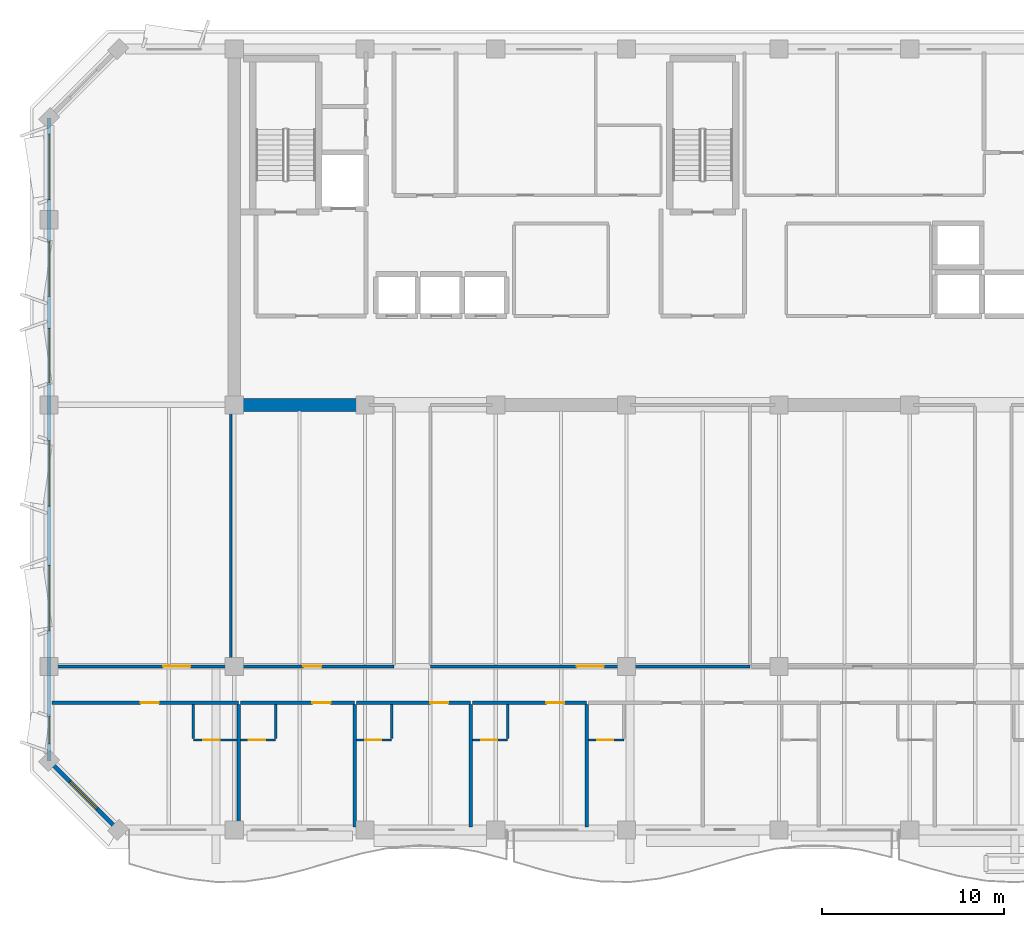
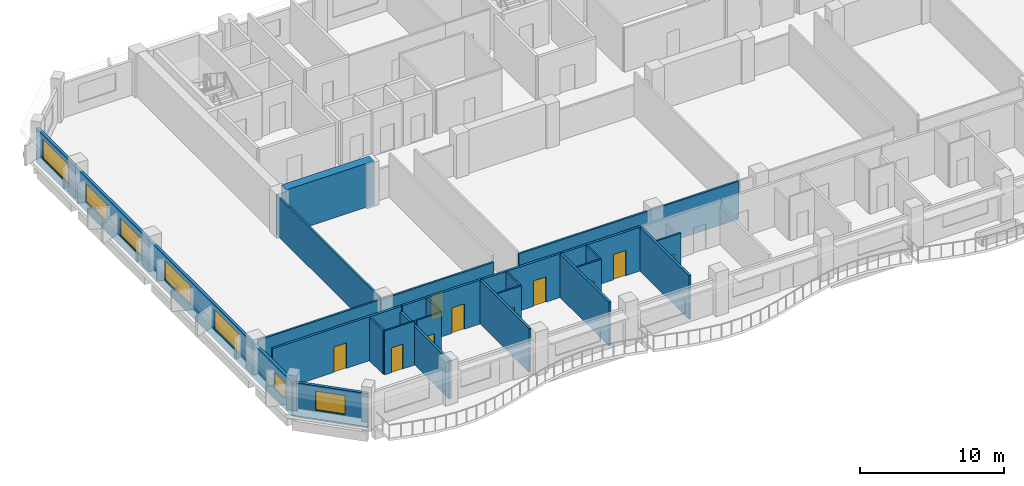
# One storey, part 3 of 11: 24 walls, 12 doors, 7 windows, 19 openings.
"""IFC4 building model written with IfcOpenShell, lengths in metres."""

from ifc_helpers import new_model, si_unit, direction, frame, frame_2d, origin, place, context, subcontext, project, spatial, rectangle, extrude, material, layer, layer_set, type_object, element, fill, save


model = new_model("IFC4")

# Units and contexts
model_context = context("Model", 3, precision=1e-05, world=origin(), true_north=direction((0.0, 1.0)))
body_context = subcontext(model_context, "Body", "Model", "MODEL_VIEW")
ifc_project = project(units=[si_unit("LENGTHUNIT", "METRE"), si_unit("AREAUNIT", "SQUARE_METRE"), si_unit("VOLUMEUNIT", "CUBIC_METRE"), si_unit("PLANEANGLEUNIT", "RADIAN"), si_unit("MASSUNIT", "GRAM", prefix="KILO")], contexts=[model_context])

# Site, building, storey
site_placement = place(None, origin())
site = spatial("IfcSite", under=ifc_project, at=site_placement, CompositionType="ELEMENT")
building_placement = place(site_placement, origin())
building = spatial("IfcBuilding", under=site, at=building_placement, Name="Kaelvorn Grand Hotel", CompositionType="ELEMENT")
storey_placement = place(building_placement, frame((0.0, 0.0, 241.0)))
storey = spatial("IfcBuildingStorey", under=building, at=storey_placement, Name="L59", CompositionType="ELEMENT", Elevation=241.0)

# Wall
ifc_material_1 = material(Name="Concrete C50/60", Category="concrete")
ifc_layer_1 = layer(ifc_material_1, 0.699951171875)
ifc_layer_set_1 = layer_set([ifc_layer_1], Name="Concrete C50/60")
wall_type_1 = type_object("IfcWallType", Name="WL-CORE-700-C50", PredefinedType="SHEAR", material=ifc_layer_set_1)
wall_1_placement = place(storey_placement, frame((16.554931640625, 29.39990234375, 0.0), z_axis=(0.0, 0.0, 1.0), x_axis=(1.0, 0.0, 0.0)))
element("IfcWall", 1, at=wall_1_placement, inside=storey, type_object=wall_type_1, Name="L59 Rear-Core Coupled Shear Pier S1", PredefinedType="SHEAR", context=body_context, shape_type="SweptSolid", body=[
    extrude(rectangle(XDim=7.045166015625, YDim=0.699951171875, at=frame_2d((3.5224609375, 0.0))), origin(), (0.0, 0.0, 1.0), 3.7099609375),
])

# Wall, openings, windows
ifc_material_2 = material(Name="Concrete C40/50", Category="concrete")
ifc_layer_2 = layer(ifc_material_2, 0.219970703125)
ifc_layer_set_2 = layer_set([ifc_layer_2], Name="Concrete C40/50")
wall_type_2 = type_object("IfcWallType", Name="WL-EXT-220-C40", PredefinedType="SOLIDWALL", material=ifc_layer_set_2)
wall_2_placement = place(storey_placement, frame((6.0, 45.199951171875, 0.0), z_axis=(0.0, 0.0, 1.0), x_axis=(0.0, -1.0, 0.0)))
wall_2 = element("IfcWall", 2, at=wall_2_placement, inside=storey, type_object=wall_type_2, Name="L59 Exterior Architectural Concrete Wall 07", PredefinedType="SOLIDWALL", context=body_context, shape_type="SweptSolid", body=[
    extrude(rectangle(XDim=35.39990234375, YDim=0.219970703125, at=frame_2d((17.699951171875, 0.0))), origin(), (0.0, 0.0, 1.0), 2.909912109375),
])
opening_1_placement = place(wall_2_placement, frame((32.965087890625, 0.0, 0.85009765625)))
opening_1 = element("IfcOpeningElement", 3, at=opening_1_placement, cuts=wall_2, Name="Opening W10", PredefinedType="OPENING", context=body_context, shape_type="SweptSolid", body=[
    extrude(rectangle(XDim=1.5, YDim=1.39990234375, at=frame_2d((0.75, 0.699951171875))), frame((0.0, 0.1201171875, 0.0), z_axis=(0.0, -1.0, 0.0), x_axis=(1.0, 0.0, 0.0)), (0.0, 0.0, 1.0), 0.239990234375),
])
opening_2_placement = place(wall_2_placement, frame((24.635009765625, 0.0, 0.85009765625)))
opening_2 = element("IfcOpeningElement", 4, at=opening_2_placement, cuts=wall_2, Name="Opening W3", PredefinedType="OPENING", context=body_context, shape_type="SweptSolid", body=[
    extrude(rectangle(XDim=3.60009765625, YDim=1.64990234375, at=frame_2d((1.800048828125, 0.824951171875))), frame((0.0, 0.1201171875, 0.0), z_axis=(0.0, -1.0, 0.0), x_axis=(1.0, 0.0, 0.0)), (0.0, 0.0, 1.0), 0.239990234375),
])
opening_3_placement = place(wall_2_placement, frame((17.764892578125, 0.0, 0.85009765625)))
opening_3 = element("IfcOpeningElement", 5, at=opening_3_placement, cuts=wall_2, Name="Opening W3", PredefinedType="OPENING", context=body_context, shape_type="SweptSolid", body=[
    extrude(rectangle(XDim=3.60009765625, YDim=1.64990234375, at=frame_2d((1.800048828125, 0.824951171875))), frame((0.0, 0.1201171875, 0.0), z_axis=(0.0, -1.0, 0.0), x_axis=(1.0, 0.0, 0.0)), (0.0, 0.0, 1.0), 0.239990234375),
])
opening_4_placement = place(wall_2_placement, frame((11.5849609375, 0.0, 0.85009765625)))
opening_4 = element("IfcOpeningElement", 6, at=opening_4_placement, cuts=wall_2, Name="Opening W5", PredefinedType="OPENING", context=body_context, shape_type="SweptSolid", body=[
    extrude(rectangle(XDim=3.0, YDim=1.5, at=frame_2d((1.5, 0.75))), frame((0.0, 0.1201171875, 0.0), z_axis=(0.0, -1.0, 0.0), x_axis=(1.0, 0.0, 0.0)), (0.0, 0.0, 1.0), 0.239990234375),
])
opening_5_placement = place(wall_2_placement, frame((6.81494140625, 0.0, 0.85009765625)))
opening_5 = element("IfcOpeningElement", 7, at=opening_5_placement, cuts=wall_2, Name="Opening W5", PredefinedType="OPENING", context=body_context, shape_type="SweptSolid", body=[
    extrude(rectangle(XDim=3.0, YDim=1.5, at=frame_2d((1.5, 0.75))), frame((0.0, 0.1201171875, 0.0), z_axis=(0.0, -1.0, 0.0), x_axis=(1.0, 0.0, 0.0)), (0.0, 0.0, 1.0), 0.239990234375),
])
opening_6_placement = place(wall_2_placement, frame((0.885009765625, 0.0, 0.85009765625)))
opening_6 = element("IfcOpeningElement", 8, at=opening_6_placement, cuts=wall_2, Name="Opening W3", PredefinedType="OPENING", context=body_context, shape_type="SweptSolid", body=[
    extrude(rectangle(XDim=3.60009765625, YDim=1.64990234375, at=frame_2d((1.800048828125, 0.824951171875))), frame((0.0, 0.1201171875, 0.0), z_axis=(0.0, -1.0, 0.0), x_axis=(1.0, 0.0, 0.0)), (0.0, 0.0, 1.0), 0.239990234375),
])
ifc_material_3 = material(Name="Laminated Low-E Glass", Category="glass")
window_type_1 = type_object("IfcWindowType", Name="WIN-COR-1500x1400", PartitioningType="SINGLE_PANEL", PredefinedType="WINDOW", material=ifc_material_3)
window_1_placement = place(opening_1_placement, origin())
window_1 = element("IfcWindow", 9, at=window_1_placement, inside=storey, type_object=window_type_1, Name="L59 W Wing Tilted-Frame Ribbon Window W01", OverallHeight=1.39990234375, OverallWidth=1.5, PartitioningType="SINGLE_PANEL", PredefinedType="WINDOW", context=body_context, shape_type="SweptSolid", body=[
    extrude(rectangle(XDim=1.5, YDim=1.39990234375, at=frame_2d((0.75, 0.699951171875))), frame((0.0, 0.030029296875, 0.0), z_axis=(0.0, -1.0, 0.0), x_axis=(1.0, 0.0, 0.0)), (0.0, 0.0, 1.0), 0.06005859375),
])
fill(opening_1, window_1)
window_type_2 = type_object("IfcWindowType", Name="WIN-NTH-3000x1500", PartitioningType="SINGLE_PANEL", PredefinedType="WINDOW", material=ifc_material_3)
window_2_placement = place(opening_4_placement, origin())
window_2 = element("IfcWindow", 10, at=window_2_placement, inside=storey, type_object=window_type_2, Name="L59 W Wing Tilted-Frame Ribbon Window W04", OverallHeight=1.5, OverallWidth=3.0, PartitioningType="SINGLE_PANEL", PredefinedType="WINDOW", context=body_context, shape_type="SweptSolid", body=[
    extrude(rectangle(XDim=3.0, YDim=1.5, at=frame_2d((1.5, 0.75))), frame((0.0, 0.030029296875, 0.0), z_axis=(0.0, -1.0, 0.0), x_axis=(1.0, 0.0, 0.0)), (0.0, 0.0, 1.0), 0.06005859375),
])
fill(opening_4, window_2)
window_3_placement = place(opening_5_placement, origin())
window_3 = element("IfcWindow", 11, at=window_3_placement, inside=storey, type_object=window_type_2, Name="L59 W Wing Tilted-Frame Ribbon Window W05", OverallHeight=1.5, OverallWidth=3.0, PartitioningType="SINGLE_PANEL", PredefinedType="WINDOW", context=body_context, shape_type="SweptSolid", body=[
    extrude(rectangle(XDim=3.0, YDim=1.5, at=frame_2d((1.5, 0.75))), frame((0.0, 0.030029296875, 0.0), z_axis=(0.0, -1.0, 0.0), x_axis=(1.0, 0.0, 0.0)), (0.0, 0.0, 1.0), 0.06005859375),
])
fill(opening_5, window_3)
window_type_3 = type_object("IfcWindowType", Name="WIN-RIB-3600x1750", PartitioningType="SINGLE_PANEL", PredefinedType="WINDOW", material=ifc_material_3)
window_4_placement = place(opening_2_placement, origin())
window_4 = element("IfcWindow", 12, at=window_4_placement, inside=storey, type_object=window_type_3, Name="L59 W Wing Tilted-Frame Ribbon Window W02", OverallHeight=1.64990234375, OverallWidth=3.60009765625, PartitioningType="SINGLE_PANEL", PredefinedType="WINDOW", context=body_context, shape_type="SweptSolid", body=[
    extrude(rectangle(XDim=3.60009765625, YDim=1.64990234375, at=frame_2d((1.800048828125, 0.824951171875))), frame((0.0, 0.030029296875, 0.0), z_axis=(0.0, -1.0, 0.0), x_axis=(1.0, 0.0, 0.0)), (0.0, 0.0, 1.0), 0.06005859375),
])
fill(opening_2, window_4)
window_5_placement = place(opening_3_placement, origin())
window_5 = element("IfcWindow", 13, at=window_5_placement, inside=storey, type_object=window_type_3, Name="L59 W Wing Tilted-Frame Ribbon Window W03", OverallHeight=1.64990234375, OverallWidth=3.60009765625, PartitioningType="SINGLE_PANEL", PredefinedType="WINDOW", context=body_context, shape_type="SweptSolid", body=[
    extrude(rectangle(XDim=3.60009765625, YDim=1.64990234375, at=frame_2d((1.800048828125, 0.824951171875))), frame((0.0, 0.030029296875, 0.0), z_axis=(0.0, -1.0, 0.0), x_axis=(1.0, 0.0, 0.0)), (0.0, 0.0, 1.0), 0.06005859375),
])
fill(opening_3, window_5)
window_6_placement = place(opening_6_placement, origin())
window_6 = element("IfcWindow", 14, at=window_6_placement, inside=storey, type_object=window_type_3, Name="L59 W Wing Tilted-Frame Ribbon Window W06", OverallHeight=1.64990234375, OverallWidth=3.60009765625, PartitioningType="SINGLE_PANEL", PredefinedType="WINDOW", context=body_context, shape_type="SweptSolid", body=[
    extrude(rectangle(XDim=3.60009765625, YDim=1.64990234375, at=frame_2d((1.800048828125, 0.824951171875))), frame((0.0, 0.030029296875, 0.0), z_axis=(0.0, -1.0, 0.0), x_axis=(1.0, 0.0, 0.0)), (0.0, 0.0, 1.0), 0.06005859375),
])
fill(opening_6, window_6)

# Wall, opening, window
wall_3_placement = place(storey_placement, frame((6.0, 9.800048828125, 0.0), z_axis=(0.0, 0.0, 1.0), x_axis=(0.707106781187, -0.707106781187, 0.0)))
wall_3 = element("IfcWall", 15, at=wall_3_placement, inside=storey, type_object=wall_type_2, Name="L59 Exterior Architectural Concrete Wall 08", PredefinedType="SOLIDWALL", context=body_context, shape_type="SweptSolid", body=[
    extrude(rectangle(XDim=5.3740234375, YDim=0.219970703125, at=frame_2d((2.68701171875, 0.0))), origin(), (0.0, 0.0, 1.0), 2.909912109375),
])
opening_7_placement = place(wall_3_placement, frame((1.636962890625, 0.0, 0.85009765625)))
opening_7 = element("IfcOpeningElement", 16, at=opening_7_placement, cuts=wall_3, Name="Opening W7", PredefinedType="OPENING", context=body_context, shape_type="SweptSolid", body=[
    extrude(rectangle(XDim=2.10009765625, YDim=1.60009765625, at=frame_2d((1.050048828125, 0.800048828125))), frame((0.0, 0.1201171875, 0.0), z_axis=(0.0, -1.0, 0.0), x_axis=(1.0, 0.0, 0.0)), (0.0, 0.0, 1.0), 0.239990234375),
])
window_type_4 = type_object("IfcWindowType", Name="WIN-CHM-2100x1600", PartitioningType="SINGLE_PANEL", PredefinedType="WINDOW", material=ifc_material_3)
window_7_placement = place(opening_7_placement, origin())
window_7 = element("IfcWindow", 17, at=window_7_placement, inside=storey, type_object=window_type_4, Name="L59 Chamfered 45-Degree Corner Window SW", OverallHeight=1.60009765625, OverallWidth=2.10009765625, PartitioningType="SINGLE_PANEL", PredefinedType="WINDOW", context=body_context, shape_type="SweptSolid", body=[
    extrude(rectangle(XDim=2.10009765625, YDim=1.60009765625, at=frame_2d((1.050048828125, 0.800048828125))), frame((0.0, 0.030029296875, 0.0), z_axis=(0.0, -1.0, 0.0), x_axis=(1.0, 0.0, 0.0)), (0.0, 0.0, 1.0), 0.06005859375),
])
fill(opening_7, window_7)

# Wall, opening, door
ifc_material_4 = material(Name="Moisture-Resistant Tile & Stud Board")
ifc_layer_3 = layer(ifc_material_4, 0.125)
ifc_layer_set_3 = layer_set([ifc_layer_3], Name="Moisture-Resistant Tile & Stud Board")
wall_type_3 = type_object("IfcWallType", Name="WL-PART-125-WET", PredefinedType="PARTITIONING", material=ifc_layer_set_3)
wall_4_placement = place(storey_placement, frame((13.93994140625, 10.949951171875, 0.0), z_axis=(0.0, 0.0, 1.0), x_axis=(1.0, 0.0, 0.0)))
wall_4 = element("IfcWall", 18, at=wall_4_placement, inside=storey, type_object=wall_type_3, Name="L59 En-suite Bathroom L59-01 S Partition", PredefinedType="PARTITIONING", context=body_context, shape_type="SweptSolid", body=[
    extrude(rectangle(XDim=2.405029296875, YDim=0.125, at=frame_2d((1.20263671875, 0.0))), origin(), (0.0, 0.0, 1.0), 3.7099609375),
])
opening_8_placement = place(wall_4_placement, frame((0.550048828125, 0.0, 0.0)))
opening_8 = element("IfcOpeningElement", 19, at=opening_8_placement, cuts=wall_4, Name="Opening DI4", PredefinedType="OPENING", context=body_context, shape_type="SweptSolid", body=[
    extrude(rectangle(XDim=0.89990234375, YDim=2.10009765625, at=frame_2d((0.449951171875, 1.050048828125))), frame((0.0, 0.072509765625, 0.0), z_axis=(0.0, -1.0, 0.0), x_axis=(1.0, 0.0, 0.0)), (0.0, 0.0, 1.0), 0.14501953125),
])
ifc_material_5 = material(Name="Timber Veneer Leaf", Category="wood")
door_type_1 = type_object("IfcDoorType", Name="DR-INT-BATH-900x2100", OperationType="NOTDEFINED", PredefinedType="DOOR", material=ifc_material_5)
door_1_placement = place(opening_8_placement, origin())
door_1 = element("IfcDoor", 20, at=door_1_placement, inside=storey, type_object=door_type_1, Name="L59 En-suite Bathroom L59-01 Door", OperationType="SINGLE_SWING_RIGHT", OverallHeight=2.10009765625, OverallWidth=0.89990234375, PredefinedType="DOOR", context=body_context, shape_type="SweptSolid", body=[
    extrude(rectangle(XDim=0.89990234375, YDim=2.10009765625, at=frame_2d((0.449951171875, 1.050048828125))), frame((0.0, 0.02490234375, 0.0), z_axis=(0.0, -1.0, 0.0), x_axis=(1.0, 0.0, 0.0)), (0.0, 0.0, 1.0), 0.050048828125),
])
fill(opening_8, door_1)

# Wall
wall_5_placement = place(storey_placement, frame((13.93994140625, 11.017578125, 0.0), z_axis=(0.0, 0.0, 1.0), x_axis=(0.0, 1.0, 0.0)))
element("IfcWall", 21, at=wall_5_placement, inside=storey, type_object=wall_type_3, Name="L59 En-suite Bathroom L59-01 W Partition", PredefinedType="PARTITIONING", context=body_context, shape_type="SweptSolid", body=[
    extrude(rectangle(XDim=1.887451171875, YDim=0.125, at=frame_2d((0.94384765625, 0.0))), origin(), (0.0, 0.0, 1.0), 3.7099609375),
])

# Wall, opening, door
wall_6_placement = place(storey_placement, frame((16.534912109375, 10.949951171875, 0.0), z_axis=(0.0, 0.0, 1.0), x_axis=(1.0, 0.0, 0.0)))
wall_6 = element("IfcWall", 22, at=wall_6_placement, inside=storey, type_object=wall_type_3, Name="L59 En-suite Bathroom L59-02 S Partition", PredefinedType="PARTITIONING", context=body_context, shape_type="SweptSolid", body=[
    extrude(rectangle(XDim=1.945068359375, YDim=0.125, at=frame_2d((0.97265625, 0.0))), origin(), (0.0, 0.0, 1.0), 3.7099609375),
])
opening_9_placement = place(wall_6_placement, frame((0.47509765625, 0.0, 0.0)))
opening_9 = element("IfcOpeningElement", 23, at=opening_9_placement, cuts=wall_6, Name="Opening DI4", PredefinedType="OPENING", context=body_context, shape_type="SweptSolid", body=[
    extrude(rectangle(XDim=0.89990234375, YDim=2.10009765625, at=frame_2d((0.449951171875, 1.050048828125))), frame((0.0, 0.072509765625, 0.0), z_axis=(0.0, -1.0, 0.0), x_axis=(1.0, 0.0, 0.0)), (0.0, 0.0, 1.0), 0.14501953125),
])
door_2_placement = place(opening_9_placement, origin())
door_2 = element("IfcDoor", 24, at=door_2_placement, inside=storey, type_object=door_type_1, Name="L59 En-suite Bathroom L59-02 Door", OperationType="SINGLE_SWING_RIGHT", OverallHeight=2.10009765625, OverallWidth=0.89990234375, PredefinedType="DOOR", context=body_context, shape_type="SweptSolid", body=[
    extrude(rectangle(XDim=0.89990234375, YDim=2.10009765625, at=frame_2d((0.449951171875, 1.050048828125))), frame((0.0, 0.02490234375, 0.0), z_axis=(0.0, -1.0, 0.0), x_axis=(1.0, 0.0, 0.0)), (0.0, 0.0, 1.0), 0.050048828125),
])
fill(opening_9, door_2)

# Wall
wall_7_placement = place(storey_placement, frame((18.47998046875, 11.017578125, 0.0), z_axis=(0.0, 0.0, 1.0), x_axis=(0.0, 1.0, 0.0)))
element("IfcWall", 25, at=wall_7_placement, inside=storey, type_object=wall_type_3, Name="L59 En-suite Bathroom L59-02 E Partition", PredefinedType="PARTITIONING", context=body_context, shape_type="SweptSolid", body=[
    extrude(rectangle(XDim=1.887451171875, YDim=0.125, at=frame_2d((0.94384765625, 0.0))), origin(), (0.0, 0.0, 1.0), 3.7099609375),
])

# Wall, opening, door
wall_8_placement = place(storey_placement, frame((22.925048828125, 10.949951171875, 0.0), z_axis=(0.0, 0.0, 1.0), x_axis=(1.0, 0.0, 0.0)))
wall_8 = element("IfcWall", 26, at=wall_8_placement, inside=storey, type_object=wall_type_3, Name="L59 En-suite Bathroom L59-03 S Partition", PredefinedType="PARTITIONING", context=body_context, shape_type="SweptSolid", body=[
    extrude(rectangle(XDim=1.945068359375, YDim=0.125, at=frame_2d((0.97265625, 0.0))), origin(), (0.0, 0.0, 1.0), 3.7099609375),
])
opening_10_placement = place(wall_8_placement, frame((0.47509765625, 0.0, 0.0)))
opening_10 = element("IfcOpeningElement", 27, at=opening_10_placement, cuts=wall_8, Name="Opening DI4", PredefinedType="OPENING", context=body_context, shape_type="SweptSolid", body=[
    extrude(rectangle(XDim=0.89990234375, YDim=2.10009765625, at=frame_2d((0.449951171875, 1.050048828125))), frame((0.0, 0.072509765625, 0.0), z_axis=(0.0, -1.0, 0.0), x_axis=(1.0, 0.0, 0.0)), (0.0, 0.0, 1.0), 0.14501953125),
])
door_3_placement = place(opening_10_placement, origin())
door_3 = element("IfcDoor", 28, at=door_3_placement, inside=storey, type_object=door_type_1, Name="L59 En-suite Bathroom L59-03 Door", OperationType="SINGLE_SWING_RIGHT", OverallHeight=2.10009765625, OverallWidth=0.89990234375, PredefinedType="DOOR", context=body_context, shape_type="SweptSolid", body=[
    extrude(rectangle(XDim=0.89990234375, YDim=2.10009765625, at=frame_2d((0.449951171875, 1.050048828125))), frame((0.0, 0.02490234375, 0.0), z_axis=(0.0, -1.0, 0.0), x_axis=(1.0, 0.0, 0.0)), (0.0, 0.0, 1.0), 0.050048828125),
])
fill(opening_10, door_3)

# Wall
wall_9_placement = place(storey_placement, frame((24.8701171875, 11.017578125, 0.0), z_axis=(0.0, 0.0, 1.0), x_axis=(0.0, 1.0, 0.0)))
element("IfcWall", 29, at=wall_9_placement, inside=storey, type_object=wall_type_3, Name="L59 En-suite Bathroom L59-03 E Partition", PredefinedType="PARTITIONING", context=body_context, shape_type="SweptSolid", body=[
    extrude(rectangle(XDim=1.887451171875, YDim=0.125, at=frame_2d((0.94384765625, 0.0))), origin(), (0.0, 0.0, 1.0), 3.7099609375),
])

# Wall, opening, door
wall_10_placement = place(storey_placement, frame((29.31494140625, 10.949951171875, 0.0), z_axis=(0.0, 0.0, 1.0), x_axis=(1.0, 0.0, 0.0)))
wall_10 = element("IfcWall", 30, at=wall_10_placement, inside=storey, type_object=wall_type_3, Name="L59 En-suite Bathroom L59-04 S Partition", PredefinedType="PARTITIONING", context=body_context, shape_type="SweptSolid", body=[
    extrude(rectangle(XDim=1.945068359375, YDim=0.125, at=frame_2d((0.97265625, 0.0))), origin(), (0.0, 0.0, 1.0), 3.7099609375),
])
opening_11_placement = place(wall_10_placement, frame((0.47509765625, 0.0, 0.0)))
opening_11 = element("IfcOpeningElement", 31, at=opening_11_placement, cuts=wall_10, Name="Opening DI4", PredefinedType="OPENING", context=body_context, shape_type="SweptSolid", body=[
    extrude(rectangle(XDim=0.89990234375, YDim=2.10009765625, at=frame_2d((0.449951171875, 1.050048828125))), frame((0.0, 0.072509765625, 0.0), z_axis=(0.0, -1.0, 0.0), x_axis=(1.0, 0.0, 0.0)), (0.0, 0.0, 1.0), 0.14501953125),
])
door_4_placement = place(opening_11_placement, origin())
door_4 = element("IfcDoor", 32, at=door_4_placement, inside=storey, type_object=door_type_1, Name="L59 En-suite Bathroom L59-04 Door", OperationType="SINGLE_SWING_RIGHT", OverallHeight=2.10009765625, OverallWidth=0.89990234375, PredefinedType="DOOR", context=body_context, shape_type="SweptSolid", body=[
    extrude(rectangle(XDim=0.89990234375, YDim=2.10009765625, at=frame_2d((0.449951171875, 1.050048828125))), frame((0.0, 0.02490234375, 0.0), z_axis=(0.0, -1.0, 0.0), x_axis=(1.0, 0.0, 0.0)), (0.0, 0.0, 1.0), 0.050048828125),
])
fill(opening_11, door_4)

# Wall
wall_11_placement = place(storey_placement, frame((31.260009765625, 11.017578125, 0.0), z_axis=(0.0, 0.0, 1.0), x_axis=(0.0, 1.0, 0.0)))
element("IfcWall", 33, at=wall_11_placement, inside=storey, type_object=wall_type_3, Name="L59 En-suite Bathroom L59-04 E Partition", PredefinedType="PARTITIONING", context=body_context, shape_type="SweptSolid", body=[
    extrude(rectangle(XDim=1.887451171875, YDim=0.125, at=frame_2d((0.94384765625, 0.0))), origin(), (0.0, 0.0, 1.0), 3.7099609375),
])

# Wall, opening, door
wall_12_placement = place(storey_placement, frame((35.705078125, 10.949951171875, 0.0), z_axis=(0.0, 0.0, 1.0), x_axis=(1.0, 0.0, 0.0)))
wall_12 = element("IfcWall", 34, at=wall_12_placement, inside=storey, type_object=wall_type_3, Name="L59 En-suite Bathroom L59-05 S Partition", PredefinedType="PARTITIONING", context=body_context, shape_type="SweptSolid", body=[
    extrude(rectangle(XDim=1.94482421875, YDim=0.125, at=frame_2d((0.972412109375, 0.0))), origin(), (0.0, 0.0, 1.0), 3.7099609375),
])
opening_12_placement = place(wall_12_placement, frame((0.47509765625, 0.0, 0.0)))
opening_12 = element("IfcOpeningElement", 35, at=opening_12_placement, cuts=wall_12, Name="Opening DI4", PredefinedType="OPENING", context=body_context, shape_type="SweptSolid", body=[
    extrude(rectangle(XDim=0.89990234375, YDim=2.10009765625, at=frame_2d((0.449951171875, 1.050048828125))), frame((0.0, 0.072509765625, 0.0), z_axis=(0.0, -1.0, 0.0), x_axis=(1.0, 0.0, 0.0)), (0.0, 0.0, 1.0), 0.14501953125),
])
door_5_placement = place(opening_12_placement, origin())
door_5 = element("IfcDoor", 36, at=door_5_placement, inside=storey, type_object=door_type_1, Name="L59 En-suite Bathroom L59-05 Door", OperationType="SINGLE_SWING_RIGHT", OverallHeight=2.10009765625, OverallWidth=0.89990234375, PredefinedType="DOOR", context=body_context, shape_type="SweptSolid", body=[
    extrude(rectangle(XDim=0.89990234375, YDim=2.10009765625, at=frame_2d((0.449951171875, 1.050048828125))), frame((0.0, 0.02490234375, 0.0), z_axis=(0.0, -1.0, 0.0), x_axis=(1.0, 0.0, 0.0)), (0.0, 0.0, 1.0), 0.050048828125),
])
fill(opening_12, door_5)

ifc_material_6 = material(Name="Acoustic Gypsum & Stud Partition")
ifc_layer_4 = layer(ifc_material_6, 0.14990234375)
ifc_layer_set_4 = layer_set([ifc_layer_4], Name="Acoustic Gypsum & Stud Partition")
wall_type_4 = type_object("IfcWallType", Name="WL-PART-150-EI60", PredefinedType="PARTITIONING", material=ifc_layer_set_4)
wall_13_placement = place(storey_placement, frame((16.0, 15.0, 0.0), z_axis=(0.0, 0.0, 1.0), x_axis=(1.0, 0.0, 0.0)))
wall_13 = element("IfcWall", 37, at=wall_13_placement, inside=storey, type_object=wall_type_4, Name="L59 Executive Meeting Boardroom S Partition", PredefinedType="PARTITIONING", context=body_context, shape_type="SweptSolid", body=[
    extrude(rectangle(XDim=9.0, YDim=0.14990234375, at=frame_2d((4.5, 0.0))), origin(), (0.0, 0.0, 1.0), 3.2099609375),
])
opening_13_placement = place(wall_13_placement, frame((4.0, 0.0, 0.0)))
opening_13 = element("IfcOpeningElement", 38, at=opening_13_placement, cuts=wall_13, Name="Opening DI3", PredefinedType="OPENING", context=body_context, shape_type="SweptSolid", body=[
    extrude(rectangle(XDim=1.0, YDim=2.14990234375, at=frame_2d((0.5, 1.074951171875))), frame((0.0, 0.0849609375, 0.0), z_axis=(0.0, -1.0, 0.0), x_axis=(1.0, 0.0, 0.0)), (0.0, 0.0, 1.0), 0.169921875),
])
ifc_material_7 = material(Name="Timber Veneer Fire Leaf", Category="wood")
door_type_2 = type_object("IfcDoorType", Name="DR-INT-GUEST-1000x2150", OperationType="NOTDEFINED", PredefinedType="DOOR", material=ifc_material_7)
door_6_placement = place(opening_13_placement, origin())
door_6 = element("IfcDoor", 39, at=door_6_placement, inside=storey, type_object=door_type_2, Name="L59 Executive Meeting Boardroom Door", OperationType="SINGLE_SWING_LEFT", OverallHeight=2.14990234375, OverallWidth=1.0, PredefinedType="DOOR", context=body_context, shape_type="SweptSolid", body=[
    extrude(rectangle(XDim=1.0, YDim=2.14990234375, at=frame_2d((0.5, 1.074951171875))), frame((0.0, 0.02490234375, 0.0), z_axis=(0.0, -1.0, 0.0), x_axis=(1.0, 0.0, 0.0)), (0.0, 0.0, 1.0), 0.050048828125),
])
fill(opening_13, door_6)

# Wall
wall_14_placement = place(storey_placement, frame((16.0, 15.080078125, 0.0), z_axis=(0.0, 0.0, 1.0), x_axis=(0.0, 1.0, 0.0)))
element("IfcWall", 40, at=wall_14_placement, inside=storey, type_object=wall_type_4, Name="L59 Executive Meeting Boardroom W Partition", PredefinedType="PARTITIONING", context=body_context, shape_type="SweptSolid", body=[
    extrude(rectangle(XDim=14.309814453125, YDim=0.14990234375, at=frame_2d((7.15478515625, 0.0))), origin(), (0.0, 0.0, 1.0), 3.35009765625),
])

# Wall, opening, door
wall_15_placement = place(storey_placement, frame((27.0, 15.0, 0.0), z_axis=(0.0, 0.0, 1.0), x_axis=(1.0, 0.0, 0.0)))
wall_15 = element("IfcWall", 41, at=wall_15_placement, inside=storey, type_object=wall_type_4, Name="L59 Guest Butler Kitchen S Partition", PredefinedType="PARTITIONING", context=body_context, shape_type="SweptSolid", body=[
    extrude(rectangle(XDim=17.60009765625, YDim=0.14990234375, at=frame_2d((8.800048828125, 0.0))), origin(), (0.0, 0.0, 1.0), 3.2099609375),
])
opening_14_placement = place(wall_15_placement, frame((8.050048828125, 0.0, 0.0)))
opening_14 = element("IfcOpeningElement", 42, at=opening_14_placement, cuts=wall_15, Name="Opening DI5", PredefinedType="OPENING", context=body_context, shape_type="SweptSolid", body=[
    extrude(rectangle(XDim=1.5, YDim=2.25, at=frame_2d((0.75, 1.125))), frame((0.0, 0.0849609375, 0.0), z_axis=(0.0, -1.0, 0.0), x_axis=(1.0, 0.0, 0.0)), (0.0, 0.0, 1.0), 0.169921875),
])
door_type_3 = type_object("IfcDoorType", Name="DR-INT-SALON-1500x2250", OperationType="DOUBLE_DOOR_SINGLE_SWING", PredefinedType="DOOR", material=ifc_material_7)
door_7_placement = place(opening_14_placement, origin())
door_7 = element("IfcDoor", 43, at=door_7_placement, inside=storey, type_object=door_type_3, Name="L59 Guest Butler Kitchen Door", OperationType="DOUBLE_DOOR_SINGLE_SWING", OverallHeight=2.25, OverallWidth=1.5, PredefinedType="DOOR", context=body_context, shape_type="SweptSolid", body=[
    extrude(rectangle(XDim=1.5, YDim=2.25, at=frame_2d((0.75, 1.125))), frame((0.0, 0.02490234375, 0.0), z_axis=(0.0, -1.0, 0.0), x_axis=(1.0, 0.0, 0.0)), (0.0, 0.0, 1.0), 0.050048828125),
])
fill(opening_14, door_7)

wall_16_placement = place(storey_placement, frame((6.14990234375, 15.0, 0.0), z_axis=(0.0, 0.0, 1.0), x_axis=(1.0, 0.0, 0.0)))
wall_16 = element("IfcWall", 44, at=wall_16_placement, inside=storey, type_object=wall_type_4, Name="L59 West Sky Business Secretariat Office S Partition", PredefinedType="PARTITIONING", context=body_context, shape_type="SweptSolid", body=[
    extrude(rectangle(XDim=9.77001953125, YDim=0.14990234375, at=frame_2d((4.885009765625, 0.0))), origin(), (0.0, 0.0, 1.0), 3.2099609375),
])
opening_15_placement = place(wall_16_placement, frame((6.1298828125, 0.0, 0.0)))
opening_15 = element("IfcOpeningElement", 45, at=opening_15_placement, cuts=wall_16, Name="Opening DI5", PredefinedType="OPENING", context=body_context, shape_type="SweptSolid", body=[
    extrude(rectangle(XDim=1.5, YDim=2.25, at=frame_2d((0.75, 1.125))), frame((0.0, 0.0849609375, 0.0), z_axis=(0.0, -1.0, 0.0), x_axis=(1.0, 0.0, 0.0)), (0.0, 0.0, 1.0), 0.169921875),
])
door_8_placement = place(opening_15_placement, origin())
door_8 = element("IfcDoor", 46, at=door_8_placement, inside=storey, type_object=door_type_3, Name="L59 West Sky Business Secretariat Office Door", OperationType="DOUBLE_DOOR_SINGLE_SWING", OverallHeight=2.25, OverallWidth=1.5, PredefinedType="DOOR", context=body_context, shape_type="SweptSolid", body=[
    extrude(rectangle(XDim=1.5, YDim=2.25, at=frame_2d((0.75, 1.125))), frame((0.0, 0.02490234375, 0.0), z_axis=(0.0, -1.0, 0.0), x_axis=(1.0, 0.0, 0.0)), (0.0, 0.0, 1.0), 0.050048828125),
])
fill(opening_15, door_8)

ifc_layer_5 = layer(ifc_material_6, 0.179931640625)
ifc_layer_set_5 = layer_set([ifc_layer_5], Name="Acoustic Gypsum & Stud Partition")
wall_type_5 = type_object("IfcWallType", Name="WL-PART-180-EI60", PredefinedType="PARTITIONING", material=ifc_layer_set_5)
wall_17_placement = place(storey_placement, frame((6.14990234375, 13.0, 0.0), z_axis=(0.0, 0.0, 1.0), x_axis=(1.0, 0.0, 0.0)))
wall_17 = element("IfcWall", 47, at=wall_17_placement, inside=storey, type_object=wall_type_5, Name="L59 Ambassador Guest Room L59-01 N Partition", PredefinedType="PARTITIONING", context=body_context, shape_type="SweptSolid", body=[
    extrude(rectangle(XDim=10.2900390625, YDim=0.179931640625, at=frame_2d((5.14501953125, 0.0))), origin(), (0.0, 0.0, 1.0), 3.7099609375),
])
opening_16_placement = place(wall_17_placement, frame((4.89501953125, 0.0, 0.0)))
opening_16 = element("IfcOpeningElement", 48, at=opening_16_placement, cuts=wall_17, Name="Opening DI3", PredefinedType="OPENING", context=body_context, shape_type="SweptSolid", body=[
    extrude(rectangle(XDim=1.0, YDim=2.14990234375, at=frame_2d((0.5, 1.074951171875))), frame((0.0, 0.10009765625, 0.0), z_axis=(0.0, -1.0, 0.0), x_axis=(1.0, 0.0, 0.0)), (0.0, 0.0, 1.0), 0.199951171875),
])
door_9_placement = place(opening_16_placement, origin())
door_9 = element("IfcDoor", 49, at=door_9_placement, inside=storey, type_object=door_type_2, Name="L59 Ambassador Guest Room L59-01 Door", OperationType="SINGLE_SWING_LEFT", OverallHeight=2.14990234375, OverallWidth=1.0, PredefinedType="DOOR", context=body_context, shape_type="SweptSolid", body=[
    extrude(rectangle(XDim=1.0, YDim=2.14990234375, at=frame_2d((0.5, 1.074951171875))), frame((0.0, 0.02490234375, 0.0), z_axis=(0.0, -1.0, 0.0), x_axis=(1.0, 0.0, 0.0)), (0.0, 0.0, 1.0), 0.050048828125),
])
fill(opening_16, door_9)

# Wall
wall_18_placement = place(storey_placement, frame((16.43994140625, 6.14990234375, 0.0), z_axis=(0.0, 0.0, 1.0), x_axis=(0.0, 1.0, 0.0)))
element("IfcWall", 50, at=wall_18_placement, inside=storey, type_object=wall_type_5, Name="L59 Ambassador Guest Room L59-01 E Partition", PredefinedType="PARTITIONING", context=body_context, shape_type="SweptSolid", body=[
    extrude(rectangle(XDim=6.755126953125, YDim=0.179931640625, at=frame_2d((3.37744140625, 0.0))), origin(), (0.0, 0.0, 1.0), 3.260009765625),
])

# Wall, opening, door
wall_19_placement = place(storey_placement, frame((16.534912109375, 13.0, 0.0), z_axis=(0.0, 0.0, 1.0), x_axis=(1.0, 0.0, 0.0)))
wall_19 = element("IfcWall", 51, at=wall_19_placement, inside=storey, type_object=wall_type_5, Name="L59 Ambassador Guest Room L59-02 N Partition", PredefinedType="PARTITIONING", context=body_context, shape_type="SweptSolid", body=[
    extrude(rectangle(XDim=6.295166015625, YDim=0.179931640625, at=frame_2d((3.1474609375, 0.0))), origin(), (0.0, 0.0, 1.0), 3.7099609375),
])
opening_17_placement = place(wall_19_placement, frame((3.965087890625, 0.0, 0.0)))
opening_17 = element("IfcOpeningElement", 52, at=opening_17_placement, cuts=wall_19, Name="Opening DI3", PredefinedType="OPENING", context=body_context, shape_type="SweptSolid", body=[
    extrude(rectangle(XDim=1.0, YDim=2.14990234375, at=frame_2d((0.5, 1.074951171875))), frame((0.0, 0.10009765625, 0.0), z_axis=(0.0, -1.0, 0.0), x_axis=(1.0, 0.0, 0.0)), (0.0, 0.0, 1.0), 0.199951171875),
])
door_10_placement = place(opening_17_placement, origin())
door_10 = element("IfcDoor", 53, at=door_10_placement, inside=storey, type_object=door_type_2, Name="L59 Ambassador Guest Room L59-02 Door", OperationType="SINGLE_SWING_LEFT", OverallHeight=2.14990234375, OverallWidth=1.0, PredefinedType="DOOR", context=body_context, shape_type="SweptSolid", body=[
    extrude(rectangle(XDim=1.0, YDim=2.14990234375, at=frame_2d((0.5, 1.074951171875))), frame((0.0, 0.02490234375, 0.0), z_axis=(0.0, -1.0, 0.0), x_axis=(1.0, 0.0, 0.0)), (0.0, 0.0, 1.0), 0.050048828125),
])
fill(opening_17, door_10)

# Wall
wall_20_placement = place(storey_placement, frame((22.830078125, 6.14990234375, 0.0), z_axis=(0.0, 0.0, 1.0), x_axis=(0.0, 1.0, 0.0)))
element("IfcWall", 54, at=wall_20_placement, inside=storey, type_object=wall_type_5, Name="L59 Ambassador Guest Room L59-02 E Partition", PredefinedType="PARTITIONING", context=body_context, shape_type="SweptSolid", body=[
    extrude(rectangle(XDim=6.755126953125, YDim=0.179931640625, at=frame_2d((3.37744140625, 0.0))), origin(), (0.0, 0.0, 1.0), 3.7099609375),
])

# Wall, opening, door
wall_21_placement = place(storey_placement, frame((22.925048828125, 13.0, 0.0), z_axis=(0.0, 0.0, 1.0), x_axis=(1.0, 0.0, 0.0)))
wall_21 = element("IfcWall", 55, at=wall_21_placement, inside=storey, type_object=wall_type_5, Name="L59 Ambassador Guest Room L59-03 N Partition", PredefinedType="PARTITIONING", context=body_context, shape_type="SweptSolid", body=[
    extrude(rectangle(XDim=6.294921875, YDim=0.179931640625, at=frame_2d((3.1474609375, 0.0))), origin(), (0.0, 0.0, 1.0), 3.7099609375),
])
opening_18_placement = place(wall_21_placement, frame((4.070068359375, 0.0, 0.0)))
opening_18 = element("IfcOpeningElement", 56, at=opening_18_placement, cuts=wall_21, Name="Opening DI3", PredefinedType="OPENING", context=body_context, shape_type="SweptSolid", body=[
    extrude(rectangle(XDim=1.0, YDim=2.14990234375, at=frame_2d((0.5, 1.074951171875))), frame((0.0, 0.10009765625, 0.0), z_axis=(0.0, -1.0, 0.0), x_axis=(1.0, 0.0, 0.0)), (0.0, 0.0, 1.0), 0.199951171875),
])
door_11_placement = place(opening_18_placement, origin())
door_11 = element("IfcDoor", 57, at=door_11_placement, inside=storey, type_object=door_type_2, Name="L59 Ambassador Guest Room L59-03 Door", OperationType="SINGLE_SWING_LEFT", OverallHeight=2.14990234375, OverallWidth=1.0, PredefinedType="DOOR", context=body_context, shape_type="SweptSolid", body=[
    extrude(rectangle(XDim=1.0, YDim=2.14990234375, at=frame_2d((0.5, 1.074951171875))), frame((0.0, 0.02490234375, 0.0), z_axis=(0.0, -1.0, 0.0), x_axis=(1.0, 0.0, 0.0)), (0.0, 0.0, 1.0), 0.050048828125),
])
fill(opening_18, door_11)

# Wall
wall_22_placement = place(storey_placement, frame((29.219970703125, 6.14990234375, 0.0), z_axis=(0.0, 0.0, 1.0), x_axis=(0.0, 1.0, 0.0)))
element("IfcWall", 58, at=wall_22_placement, inside=storey, type_object=wall_type_5, Name="L59 Ambassador Guest Room L59-03 E Partition", PredefinedType="PARTITIONING", context=body_context, shape_type="SweptSolid", body=[
    extrude(rectangle(XDim=6.755126953125, YDim=0.179931640625, at=frame_2d((3.37744140625, 0.0))), origin(), (0.0, 0.0, 1.0), 3.7099609375),
])

# Wall, opening, door
wall_23_placement = place(storey_placement, frame((29.31494140625, 13.0, 0.0), z_axis=(0.0, 0.0, 1.0), x_axis=(1.0, 0.0, 0.0)))
wall_23 = element("IfcWall", 59, at=wall_23_placement, inside=storey, type_object=wall_type_5, Name="L59 Ambassador Guest Room L59-04 N Partition", PredefinedType="PARTITIONING", context=body_context, shape_type="SweptSolid", body=[
    extrude(rectangle(XDim=6.295166015625, YDim=0.179931640625, at=frame_2d((3.1474609375, 0.0))), origin(), (0.0, 0.0, 1.0), 3.7099609375),
])
opening_19_placement = place(wall_23_placement, frame((4.070068359375, 0.0, 0.0)))
opening_19 = element("IfcOpeningElement", 60, at=opening_19_placement, cuts=wall_23, Name="Opening DI3", PredefinedType="OPENING", context=body_context, shape_type="SweptSolid", body=[
    extrude(rectangle(XDim=1.0, YDim=2.14990234375, at=frame_2d((0.5, 1.074951171875))), frame((0.0, 0.10009765625, 0.0), z_axis=(0.0, -1.0, 0.0), x_axis=(1.0, 0.0, 0.0)), (0.0, 0.0, 1.0), 0.199951171875),
])
door_12_placement = place(opening_19_placement, origin())
door_12 = element("IfcDoor", 61, at=door_12_placement, inside=storey, type_object=door_type_2, Name="L59 Ambassador Guest Room L59-04 Door", OperationType="SINGLE_SWING_LEFT", OverallHeight=2.14990234375, OverallWidth=1.0, PredefinedType="DOOR", context=body_context, shape_type="SweptSolid", body=[
    extrude(rectangle(XDim=1.0, YDim=2.14990234375, at=frame_2d((0.5, 1.074951171875))), frame((0.0, 0.02490234375, 0.0), z_axis=(0.0, -1.0, 0.0), x_axis=(1.0, 0.0, 0.0)), (0.0, 0.0, 1.0), 0.050048828125),
])
fill(opening_19, door_12)

# Wall
wall_24_placement = place(storey_placement, frame((35.610107421875, 6.14990234375, 0.0), z_axis=(0.0, 0.0, 1.0), x_axis=(0.0, 1.0, 0.0)))
element("IfcWall", 62, at=wall_24_placement, inside=storey, type_object=wall_type_5, Name="L59 Ambassador Guest Room L59-04 E Partition", PredefinedType="PARTITIONING", context=body_context, shape_type="SweptSolid", body=[
    extrude(rectangle(XDim=6.755126953125, YDim=0.179931640625, at=frame_2d((3.37744140625, 0.0))), origin(), (0.0, 0.0, 1.0), 3.7099609375),
])

save(model, "model.ifc")
